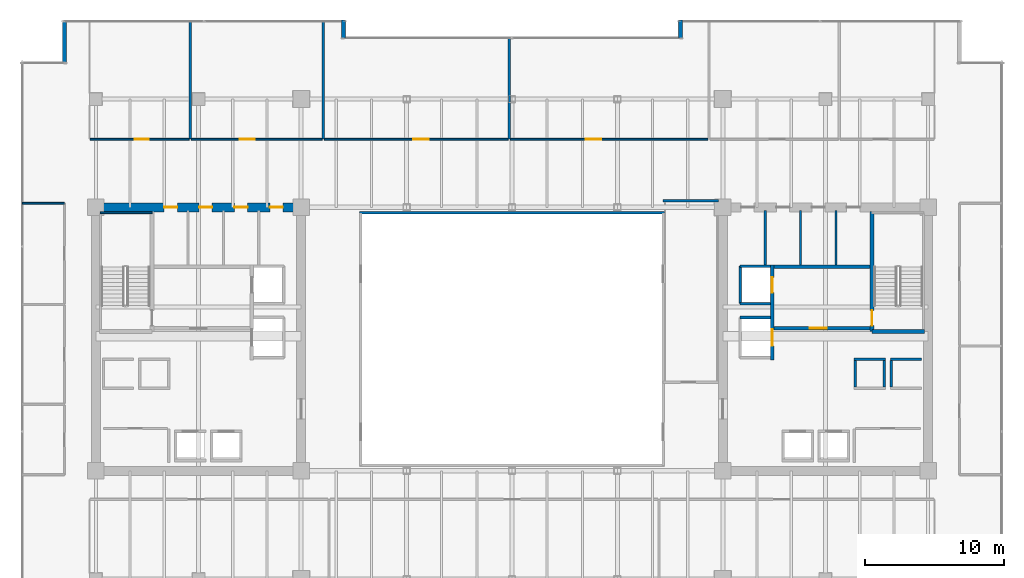
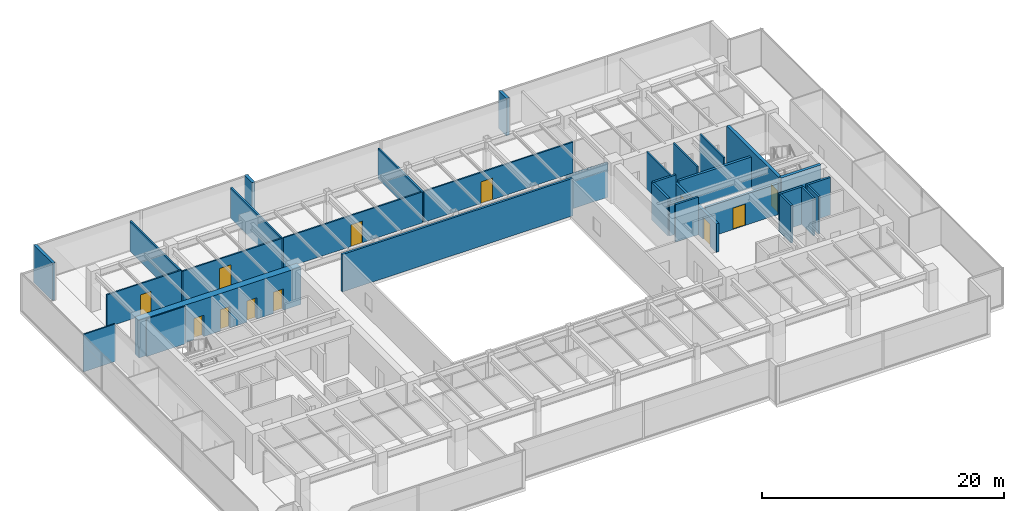
# One storey, part 27 of 33: 32 walls, 12 doors, 12 openings.
"""IFC4 building model written with IfcOpenShell, lengths in metres."""

from ifc_helpers import new_model, si_unit, direction, frame, frame_2d, origin, place, context, subcontext, project, spatial, rectangle, extrude, source, transform, mapped, material, layer, layer_set, type_object, type_shapes, element, fill, save


model = new_model("IFC4")

# Units and contexts
model_context = context("Model", 3, precision=1e-05, world=origin(), true_north=direction((0.0, 1.0)))
body_context = subcontext(model_context, "Body", "Model", "MODEL_VIEW")
ifc_project = project(units=[si_unit("LENGTHUNIT", "METRE"), si_unit("AREAUNIT", "SQUARE_METRE"), si_unit("VOLUMEUNIT", "CUBIC_METRE"), si_unit("PLANEANGLEUNIT", "RADIAN"), si_unit("MASSUNIT", "GRAM", prefix="KILO")], contexts=[model_context])

# Site, building, storey
site_placement = place(None, origin())
site = spatial("IfcSite", under=ifc_project, at=site_placement, CompositionType="ELEMENT")
building_placement = place(site_placement, origin())
building = spatial("IfcBuilding", under=site, at=building_placement, Name="Haelvirn Gate Laboratories", CompositionType="ELEMENT")
storey_placement = place(building_placement, frame((0.0, 0.0, 137.89990234375)))
storey = spatial("IfcBuildingStorey", under=building, at=storey_placement, Name="L33", CompositionType="ELEMENT", Elevation=137.89990234375)

# Walls
ifc_material_1 = material(Name="Thermally-broken bronze aluminium rainscreen & mineral wool", Category="aluminium")
ifc_layer_1 = layer(ifc_material_1, 0.280029296875, Name="EW-TERR-280")
ifc_layer_set_1 = layer_set([ifc_layer_1], Name="Thermally-broken bronze aluminium rainscreen & mineral wool")
wall_type_1 = type_object("IfcWallType", Name="EW-TERR-280", PredefinedType="STANDARD", material=ifc_layer_set_1)
for number, where, z_axis, x_axis, name in (
    (1, (49.5400390625, 47.300048828125, 0.0), (0.0, 0.0, 1.0), (0.0, -1.0, 0.0), "L33 Atrium Recess Bronze Return Wall 11"),
    (2, (25.260009765625, 46.011962890625, 0.0), (0.0, 0.0, 1.0), (0.0, 1.0, 0.0), "L33 Atrium Recess Bronze Return Wall 13"),
):
    element("IfcWall", number, at=place(storey_placement, frame(where, z_axis=z_axis, x_axis=x_axis)), inside=storey, type_object=wall_type_1, Name=name, PredefinedType="STANDARD", context=body_context, shape_type="SweptSolid", body=[
        extrude(rectangle(XDim=1.2880859375, YDim=0.280029296875, at=frame_2d((0.64404296875, 0.0))), origin(), (0.0, 0.0, 1.0), 3.7900390625),
    ])
wall_1_placement = place(storey_placement, frame((5.139892578125, 47.300048828125, 0.0), z_axis=(0.0, 0.0, 1.0), x_axis=(0.0, -1.0, 0.0)))
element("IfcWall", 3, at=wall_1_placement, inside=storey, type_object=wall_type_1, Name="L33 Atrium Recess Bronze Return Wall 15", PredefinedType="STANDARD", context=body_context, shape_type="SweptSolid", body=[
    extrude(rectangle(XDim=3.088134765625, YDim=0.280029296875, at=frame_2d((1.5439453125, 0.0))), origin(), (0.0, 0.0, 1.0), 3.7900390625),
])
ifc_material_2 = material(Name="Double-layer acoustic gypsum laboratory partition", Category="gypsum")
ifc_layer_2 = layer(ifc_material_2, 0.159912109375, Name="IW-ACOUST-160")
ifc_layer_set_2 = layer_set([ifc_layer_2], Name="Double-layer acoustic gypsum laboratory partition")
wall_type_2 = type_object("IfcWallType", Name="IW-ACOUST-160", PredefinedType="PARTITIONING", material=ifc_layer_set_2)
for number, where, z_axis, x_axis, name in (
    (4, (14.199951171875, 38.705078125, 0.0), (0.0, 0.0, 1.0), (0.0, 1.0, 0.0), "L33 Interior Wall IW-L33-NDIV-01"),
    (5, (23.800048828125, 38.705078125, 0.0), (0.0, 0.0, 1.0), (0.0, 1.0, 0.0), "L33 Interior Wall IW-L33-NDIV-02"),
):
    element("IfcWall", number, at=place(storey_placement, frame(where, z_axis=z_axis, x_axis=x_axis)), inside=storey, type_object=wall_type_2, Name=name, PredefinedType="PARTITIONING", context=body_context, shape_type="SweptSolid", body=[
        extrude(rectangle(XDim=8.48486328125, YDim=0.159912109375, at=frame_2d((4.242431640625, 0.0))), origin(), (0.0, 0.0, 1.0), 3.0751953125),
    ])
wall_2_placement = place(storey_placement, frame((37.199951171875, 38.705078125, 0.0), z_axis=(0.0, 0.0, 1.0), x_axis=(0.0, 1.0, 0.0)))
element("IfcWall", 6, at=wall_2_placement, inside=storey, type_object=wall_type_2, Name="L33 Interior Wall IW-L33-NDIV-03", PredefinedType="PARTITIONING", context=body_context, shape_type="SweptSolid", body=[
    extrude(rectangle(XDim=7.284912109375, YDim=0.159912109375, at=frame_2d((3.642578125, 0.0))), origin(), (0.0, 0.0, 1.0), 3.0751953125),
])
ifc_material_3 = material(Name="Fire-rated acoustic gypsum board partition", Category="gypsum")
ifc_layer_3 = layer(ifc_material_3, 0.175048828125, Name="IW-ACOUST-180")
ifc_layer_set_3 = layer_set([ifc_layer_3], Name="Fire-rated acoustic gypsum board partition")
wall_type_3 = type_object("IfcWallType", Name="IW-ACOUST-180", PredefinedType="PARTITIONING", material=ifc_layer_set_3)
wall_3_placement = place(storey_placement, frame((48.300048828125, 34.260009765625, 0.0), z_axis=(0.0, 0.0, 1.0), x_axis=(1.0, 0.0, 0.0)))
element("IfcWall", 7, at=wall_3_placement, inside=storey, type_object=wall_type_3, Name="L33 Interior Wall IW-L33-ASEM-N", PredefinedType="PARTITIONING", context=body_context, shape_type="SweptSolid", body=[
    extrude(rectangle(XDim=3.974853515625, YDim=0.175048828125, at=frame_2d((1.9873046875, 0.0))), origin(), (0.0, 0.0, 1.0), 3.47509765625),
])
ifc_material_4 = material(Name="Tempered fire-rated borosilicate glass & anodised aluminium", Category="aluminium")
ifc_layer_4 = layer(ifc_material_4, 0.195068359375, Name="IW-GLAZ-200")
ifc_layer_set_4 = layer_set([ifc_layer_4], Name="Tempered fire-rated borosilicate glass & anodised aluminium")
wall_type_4 = type_object("IfcWallType", Name="IW-GLAZ-200", PredefinedType="SOLIDWALL", material=ifc_layer_set_4)
wall_4_placement = place(storey_placement, frame((26.39990234375, 33.39990234375, 0.0), z_axis=(0.0, 0.0, 1.0), x_axis=(1.0, 0.0, 0.0)))
element("IfcWall", 8, at=wall_4_placement, inside=storey, type_object=wall_type_4, Name="L33 Interior Wall IW-L33-ATRIUM-N", PredefinedType="SOLIDWALL", context=body_context, shape_type="SweptSolid", body=[
    extrude(rectangle(XDim=22.0, YDim=0.195068359375, at=frame_2d((11.0, 0.0))), origin(), (0.0, 0.0, 1.0), 3.7900390625),
])
ifc_material_5 = material(Name="Lightweight acoustic gypsum board partition", Category="gypsum")
ifc_layer_5 = layer(ifc_material_5, 0.1201171875, Name="IW-PART-120")
ifc_layer_set_5 = layer_set([ifc_layer_5], Name="Lightweight acoustic gypsum board partition")
wall_type_5 = type_object("IfcWallType", Name="IW-PART-120", PredefinedType="PARTITIONING", material=ifc_layer_set_5)
wall_5_placement = place(storey_placement, frame((2.110107421875, 34.0849609375, 0.0), z_axis=(0.0, 0.0, 1.0), x_axis=(1.0, 0.0, 0.0)))
element("IfcWall", 9, at=wall_5_placement, inside=storey, type_object=wall_type_5, Name="L33 Interior Wall IW-L33-WCAP-N", PredefinedType="PARTITIONING", context=body_context, shape_type="SweptSolid", body=[
    extrude(rectangle(XDim=3.019775390625, YDim=0.1201171875, at=frame_2d((1.509765625, 0.0))), origin(), (0.0, 0.0, 1.0), 3.7900390625),
])

# Wall, opening, door
ifc_material_6 = material(Name="Acoustic mineral-wool gypsum board partition", Category="gypsum")
ifc_layer_6 = layer(ifc_material_6, 0.139892578125, Name="IW-PART-140")
ifc_layer_set_6 = layer_set([ifc_layer_6], Name="Acoustic mineral-wool gypsum board partition")
wall_type_6 = type_object("IfcWallType", Name="IW-PART-140", PredefinedType="PARTITIONING", material=ifc_layer_set_6)
wall_6_placement = place(storey_placement, frame((6.97998046875, 38.705078125, 0.0), z_axis=(0.0, 0.0, 1.0), x_axis=(1.0, 0.0, 0.0)))
wall_6 = element("IfcWall", 10, at=wall_6_placement, inside=storey, type_object=wall_type_6, Name="L33 Interior Wall IW-L33-NCORR-01", PredefinedType="PARTITIONING", context=body_context, shape_type="SweptSolid", body=[
    extrude(rectangle(XDim=7.14013671875, YDim=0.139892578125, at=frame_2d((3.570068359375, 0.0))), origin(), (0.0, 0.0, 1.0), 3.275146484375),
])
opening_1_placement = place(wall_6_placement, frame((3.233154296875, 0.0, 0.0)))
opening_1 = element("IfcOpeningElement", 11, at=opening_1_placement, cuts=wall_6, Name="Opening D2", PredefinedType="OPENING", context=body_context, shape_type="SweptSolid", body=[
    extrude(rectangle(XDim=1.0, YDim=2.14990234375, at=frame_2d((0.5, 1.074951171875))), frame((0.0, 0.080078125, 0.0), z_axis=(0.0, -1.0, 0.0), x_axis=(1.0, 0.0, 0.0)), (0.0, 0.0, 1.0), 0.159912109375),
])
ifc_material_7 = material(Name="Acoustic solid-core timber suite door", Category="wood")
door_type_1 = type_object("IfcDoorType", Name="DR-INT-1000", OperationType="NOTDEFINED", PredefinedType="DOOR", material=ifc_material_7)
shared_shape_1 = source(origin(), body_context, "Body", "SweptSolid", [
    extrude(rectangle(XDim=1.0, YDim=2.14990234375, at=frame_2d((0.5, 1.074951171875))), frame((0.0, 0.02490234375, 0.0), z_axis=(0.0, -1.0, 0.0), x_axis=(1.0, 0.0, 0.0)), (0.0, 0.0, 1.0), 0.050048828125),
])
type_shapes(door_type_1, [shared_shape_1])
door_1_placement = place(opening_1_placement, origin())
door_1 = element("IfcDoor", 12, at=door_1_placement, inside=storey, type_object=door_type_1, Name="L33 Peer-Review Seminar Room Door N1", OperationType="SINGLE_SWING_LEFT", OverallHeight=2.14990234375, OverallWidth=1.0, PredefinedType="DOOR", context=body_context, shape_type="MappedRepresentation", body=[
    mapped(shared_shape_1, transform((0.0, 0.0, 0.0), scale=1.0)),
])
fill(opening_1, door_1)

wall_7_placement = place(storey_placement, frame((14.280029296875, 38.705078125, 0.0), z_axis=(0.0, 0.0, 1.0), x_axis=(1.0, 0.0, 0.0)))
wall_7 = element("IfcWall", 13, at=wall_7_placement, inside=storey, type_object=wall_type_6, Name="L33 Interior Wall IW-L33-NCORR-02", PredefinedType="PARTITIONING", context=body_context, shape_type="SweptSolid", body=[
    extrude(rectangle(XDim=9.43994140625, YDim=0.139892578125, at=frame_2d((4.719970703125, 0.0))), origin(), (0.0, 0.0, 1.0), 3.125),
])
opening_2_placement = place(wall_7_placement, frame((3.482421875, 0.0, 0.0)))
opening_2 = element("IfcOpeningElement", 14, at=opening_2_placement, cuts=wall_7, Name="Opening D1", PredefinedType="OPENING", context=body_context, shape_type="SweptSolid", body=[
    extrude(rectangle(XDim=1.10009765625, YDim=2.179931640625, at=frame_2d((0.550048828125, 1.08984375))), frame((0.0, 0.080078125, 0.0), z_axis=(0.0, -1.0, 0.0), x_axis=(1.0, 0.0, 0.0)), (0.0, 0.0, 1.0), 0.159912109375),
])
ifc_material_8 = material(Name="Vision-panel acoustic solid-core timber lab door", Category="wood")
door_type_2 = type_object("IfcDoorType", Name="DR-LAB-1100", OperationType="NOTDEFINED", PredefinedType="DOOR", material=ifc_material_8)
shared_shape_2 = source(origin(), body_context, "Body", "SweptSolid", [
    extrude(rectangle(XDim=1.10009765625, YDim=2.179931640625, at=frame_2d((0.550048828125, 1.08984375))), frame((0.0, 0.02490234375, 0.0), z_axis=(0.0, -1.0, 0.0), x_axis=(1.0, 0.0, 0.0)), (0.0, 0.0, 1.0), 0.050048828125),
])
type_shapes(door_type_2, [shared_shape_2])
door_2_placement = place(opening_2_placement, origin())
door_2 = element("IfcDoor", 15, at=door_2_placement, inside=storey, type_object=door_type_2, Name="L33 Cleanroom Metrology Suite Door N2", OperationType="SINGLE_SWING_RIGHT", OverallHeight=2.179931640625, OverallWidth=1.10009765625, PredefinedType="DOOR", context=body_context, shape_type="MappedRepresentation", body=[
    mapped(shared_shape_2, transform((0.0, 0.0, 0.0), scale=1.0)),
])
fill(opening_2, door_2)

wall_8_placement = place(storey_placement, frame((23.8798828125, 38.705078125, 0.0), z_axis=(0.0, 0.0, 1.0), x_axis=(1.0, 0.0, 0.0)))
wall_8 = element("IfcWall", 16, at=wall_8_placement, inside=storey, type_object=wall_type_6, Name="L33 Interior Wall IW-L33-NCORR-03", PredefinedType="PARTITIONING", context=body_context, shape_type="SweptSolid", body=[
    extrude(rectangle(XDim=13.240234375, YDim=0.139892578125, at=frame_2d((6.6201171875, 0.0))), origin(), (0.0, 0.0, 1.0), 3.125),
])
opening_3_placement = place(wall_8_placement, frame((6.4130859375, 0.0, 0.0)))
opening_3 = element("IfcOpeningElement", 17, at=opening_3_placement, cuts=wall_8, Name="Opening D1", PredefinedType="OPENING", context=body_context, shape_type="SweptSolid", body=[
    extrude(rectangle(XDim=1.10009765625, YDim=2.179931640625, at=frame_2d((0.550048828125, 1.08984375))), frame((0.0, 0.080078125, 0.0), z_axis=(0.0, -1.0, 0.0), x_axis=(1.0, 0.0, 0.0)), (0.0, 0.0, 1.0), 0.159912109375),
])
door_3_placement = place(opening_3_placement, origin())
door_3 = element("IfcDoor", 18, at=door_3_placement, inside=storey, type_object=door_type_2, Name="L33 Cryo-EM Imaging Suite Door N3", OperationType="SINGLE_SWING_LEFT", OverallHeight=2.179931640625, OverallWidth=1.10009765625, PredefinedType="DOOR", context=body_context, shape_type="MappedRepresentation", body=[
    mapped(shared_shape_2, transform((0.0, 0.0, 0.0), scale=1.0)),
])
fill(opening_3, door_3)

wall_9_placement = place(storey_placement, frame((37.280029296875, 38.705078125, 0.0), z_axis=(0.0, 0.0, 1.0), x_axis=(1.0, 0.0, 0.0)))
wall_9 = element("IfcWall", 19, at=wall_9_placement, inside=storey, type_object=wall_type_6, Name="L33 Interior Wall IW-L33-NCORR-04", PredefinedType="PARTITIONING", context=body_context, shape_type="SweptSolid", body=[
    extrude(rectangle(XDim=14.239990234375, YDim=0.139892578125, at=frame_2d((7.1201171875, 0.0))), origin(), (0.0, 0.0, 1.0), 3.125),
])
opening_4_placement = place(wall_9_placement, frame((5.450439453125, 0.0, 0.0)))
opening_4 = element("IfcOpeningElement", 20, at=opening_4_placement, cuts=wall_9, Name="Opening D1", PredefinedType="OPENING", context=body_context, shape_type="SweptSolid", body=[
    extrude(rectangle(XDim=1.10009765625, YDim=2.179931640625, at=frame_2d((0.550048828125, 1.08984375))), frame((0.0, 0.080078125, 0.0), z_axis=(0.0, -1.0, 0.0), x_axis=(1.0, 0.0, 0.0)), (0.0, 0.0, 1.0), 0.159912109375),
])
door_4_placement = place(opening_4_placement, origin())
door_4 = element("IfcDoor", 21, at=door_4_placement, inside=storey, type_object=door_type_2, Name="L33 Researcher Break Pantry Door N4", OperationType="SINGLE_SWING_RIGHT", OverallHeight=2.179931640625, OverallWidth=1.10009765625, PredefinedType="DOOR", context=body_context, shape_type="MappedRepresentation", body=[
    mapped(shared_shape_2, transform((0.0, 0.0, 0.0), scale=1.0)),
])
fill(opening_4, door_4)

# Walls
ifc_material_9 = material(Name="Cement-board restroom plumbing chase wall", Category="gypsum")
ifc_layer_7 = layer(ifc_material_9, 0.155029296875, Name="IW-PLUMB-160")
ifc_layer_set_7 = layer_set([ifc_layer_7], Name="Cement-board restroom plumbing chase wall")
wall_type_7 = type_object("IfcWallType", Name="IW-PLUMB-160", PredefinedType="PLUMBINGWALL", material=ifc_layer_set_7)
for number, where, z_axis, x_axis, name in (
    (22, (60.760009765625, 29.64990234375, 0.0), (0.0, 0.0, 1.0), (0.0, 1.0, 0.0), "L33 Interior Wall IW-L33-E-CDIV-1"),
    (23, (58.2099609375, 29.64990234375, 0.0), (0.0, 0.0, 1.0), (0.0, 1.0, 0.0), "L33 Interior Wall IW-L33-E-CDIV-2"),
    (24, (55.659912109375, 29.64990234375, 0.0), (0.0, 0.0, 1.0), (0.0, 1.0, 0.0), "L33 Interior Wall IW-L33-E-CDIV-3"),
):
    element("IfcWall", number, at=place(storey_placement, frame(where, z_axis=z_axis, x_axis=x_axis)), inside=storey, type_object=wall_type_7, Name=name, PredefinedType="PLUMBINGWALL", context=body_context, shape_type="SweptSolid", body=[
        extrude(rectangle(XDim=3.93017578125, YDim=0.155029296875, at=frame_2d((1.965087890625, 0.0))), origin(), (0.0, 0.0, 1.0), 3.7900390625),
    ])
ifc_material_10 = material(Name="Concrete C40/50", Category="concrete")
ifc_layer_8 = layer(ifc_material_10, 0.179931640625, Name="IW-SHAFT-180")
ifc_layer_set_8 = layer_set([ifc_layer_8], Name="Concrete C40/50")
wall_type_8 = type_object("IfcWallType", Name="IW-SHAFT-180", PredefinedType="SOLIDWALL", material=ifc_layer_set_8)
for number, where, z_axis, x_axis, name in (
    (25, (64.75, 20.85009765625, 0.0), (0.0, 0.0, 1.0), (0.0, 1.0, 0.0), "L33 Interior Wall IW-L33-PL11-SD"),
    (26, (62.14990234375, 20.85009765625, 0.0), (0.0, 0.0, 1.0), (0.0, 1.0, 0.0), "L33 Interior Wall IW-L33-PL12-SD"),
    (27, (64.25, 20.85009765625, 0.0), (0.0, 0.0, 1.0), (0.0, 1.0, 0.0), "L33 Interior Wall IW-L33-PL12-SDE"),
):
    element("IfcWall", number, at=place(storey_placement, frame(where, z_axis=z_axis, x_axis=x_axis)), inside=storey, type_object=wall_type_8, Name=name, PredefinedType="SOLIDWALL", context=body_context, shape_type="SweptSolid", body=[
        extrude(rectangle(XDim=1.89990234375, YDim=0.179931640625, at=frame_2d((0.949951171875, 0.0))), origin(), (0.0, 0.0, 1.0), 3.7900390625),
    ])
ifc_layer_9 = layer(ifc_material_10, 0.199951171875, Name="IW-SHAFT-200")
ifc_layer_set_9 = layer_set([ifc_layer_9], Name="Concrete C40/50")
wall_type_9 = type_object("IfcWallType", Name="IW-SHAFT-200", PredefinedType="SOLIDWALL", material=ifc_layer_set_9)
for number, where, z_axis, x_axis, name in (
    (28, (64.669921875, 22.85009765625, 0.0), (0.0, 0.0, 1.0), (1.0, 0.0, 0.0), "L33 Interior Wall IW-L33-PL11-BK"),
    (29, (62.070068359375, 22.85009765625, 0.0), (0.0, 0.0, 1.0), (1.0, 0.0, 0.0), "L33 Interior Wall IW-L33-PL12-BK"),
):
    element("IfcWall", number, at=place(storey_placement, frame(where, z_axis=z_axis, x_axis=x_axis)), inside=storey, type_object=wall_type_9, Name=name, PredefinedType="SOLIDWALL", context=body_context, shape_type="SweptSolid", body=[
        extrude(rectangle(XDim=2.260009765625, YDim=0.199951171875, at=frame_2d((1.1298828125, 0.0))), origin(), (0.0, 0.0, 1.0), 3.7900390625),
    ])
wall_10_placement = place(storey_placement, frame((53.85009765625, 26.85009765625, 0.0), z_axis=(0.0, 0.0, 1.0), x_axis=(0.0, 1.0, 0.0)))
element("IfcWall", 30, at=wall_10_placement, inside=storey, type_object=wall_type_9, Name="L33 Interior Wall IW-L33-FL2-BK", PredefinedType="SOLIDWALL", context=body_context, shape_type="SweptSolid", body=[
    extrude(rectangle(XDim=2.699951171875, YDim=0.199951171875, at=frame_2d((1.35009765625, 0.0))), origin(), (0.0, 0.0, 1.0), 3.7900390625),
])
wall_11_placement = place(storey_placement, frame((53.85009765625, 29.550048828125, 0.0), z_axis=(0.0, 0.0, 1.0), x_axis=(1.0, 0.0, 0.0)))
element("IfcWall", 31, at=wall_11_placement, inside=storey, type_object=wall_type_9, Name="L33 Interior Wall IW-L33-FL2-N", PredefinedType="SOLIDWALL", context=body_context, shape_type="SweptSolid", body=[
    extrude(rectangle(XDim=2.18994140625, YDim=0.199951171875, at=frame_2d((1.094970703125, 0.0))), origin(), (0.0, 0.0, 1.0), 3.7900390625),
])
wall_12_placement = place(storey_placement, frame((53.85009765625, 26.85009765625, 0.0), z_axis=(0.0, 0.0, 1.0), x_axis=(1.0, 0.0, 0.0)))
element("IfcWall", 32, at=wall_12_placement, inside=storey, type_object=wall_type_9, Name="L33 Interior Wall IW-L33-FL2-S", PredefinedType="SOLIDWALL", context=body_context, shape_type="SweptSolid", body=[
    extrude(rectangle(XDim=2.18994140625, YDim=0.199951171875, at=frame_2d((1.094970703125, 0.0))), origin(), (0.0, 0.0, 1.0), 3.18701171875),
])
wall_13_placement = place(storey_placement, frame((53.85009765625, 25.85009765625, 0.0), z_axis=(0.0, 0.0, 1.0), x_axis=(1.0, 0.0, 0.0)))
element("IfcWall", 33, at=wall_13_placement, inside=storey, type_object=wall_type_9, Name="L33 Interior Wall IW-L33-SL2-N", PredefinedType="SOLIDWALL", context=body_context, shape_type="SweptSolid", body=[
    extrude(rectangle(XDim=2.18994140625, YDim=0.199951171875, at=frame_2d((1.094970703125, 0.0))), origin(), (0.0, 0.0, 1.0), 3.7900390625),
])

# Wall, opening, door
ifc_layer_10 = layer(ifc_material_10, 0.239990234375, Name="IW-SHAFT-240")
ifc_layer_set_10 = layer_set([ifc_layer_10], Name="Concrete C40/50")
wall_type_10 = type_object("IfcWallType", Name="IW-SHAFT-240", PredefinedType="SOLIDWALL", material=ifc_layer_set_10)
wall_14_placement = place(storey_placement, frame((56.280029296875, 25.080078125, 0.0), z_axis=(0.0, 0.0, 1.0), x_axis=(1.0, 0.0, 0.0)))
wall_14 = element("IfcWall", 34, at=wall_14_placement, inside=storey, type_object=wall_type_10, Name="L33 Interior Wall IW-L33-E-FF-S", PredefinedType="SOLIDWALL", context=body_context, shape_type="SweptSolid", body=[
    extrude(rectangle(XDim=6.919921875, YDim=0.239990234375, at=frame_2d((3.4599609375, 0.0))), origin(), (0.0, 0.0, 1.0), 3.125),
])
opening_5_placement = place(wall_14_placement, frame((2.60009765625, 0.0, 0.0)))
opening_5 = element("IfcOpeningElement", 35, at=opening_5_placement, cuts=wall_14, Name="Opening FD2", PredefinedType="OPENING", context=body_context, shape_type="SweptSolid", body=[
    extrude(rectangle(XDim=1.199951171875, YDim=2.159912109375, at=frame_2d((0.60009765625, 1.080078125))), frame((0.0, 0.1298828125, 0.0), z_axis=(0.0, -1.0, 0.0), x_axis=(1.0, 0.0, 0.0)), (0.0, 0.0, 1.0), 0.260009765625),
])
ifc_material_11 = material(Name="Fire-rated steel SM355 compartment door", Category="steel")
door_type_3 = type_object("IfcDoorType", Name="DR-FD-1200", OperationType="NOTDEFINED", PredefinedType="DOOR", material=ifc_material_11)
shared_shape_3 = source(origin(), body_context, "Body", "SweptSolid", [
    extrude(rectangle(XDim=1.199951171875, YDim=2.159912109375, at=frame_2d((0.60009765625, 1.080078125))), frame((0.0, 0.02490234375, 0.0), z_axis=(0.0, -1.0, 0.0), x_axis=(1.0, 0.0, 0.0)), (0.0, 0.0, 1.0), 0.050048828125),
])
type_shapes(door_type_3, [shared_shape_3])
door_5_placement = place(opening_5_placement, origin())
door_5 = element("IfcDoor", 36, at=door_5_placement, inside=storey, type_object=door_type_3, Name="L33 East Firefighting Lobby Door", OperationType="SINGLE_SWING_LEFT", OverallHeight=2.159912109375, OverallWidth=1.199951171875, PredefinedType="DOOR", context=body_context, shape_type="MappedRepresentation", body=[
    mapped(shared_shape_3, transform((0.0, 0.0, 0.0), scale=1.0)),
])
fill(opening_5, door_5)

# Wall
wall_15_placement = place(storey_placement, frame((56.280029296875, 29.52001953125, 0.0), z_axis=(0.0, 0.0, 1.0), x_axis=(1.0, 0.0, 0.0)))
element("IfcWall", 37, at=wall_15_placement, inside=storey, type_object=wall_type_10, Name="L33 Interior Wall IW-L33-E-FF-N", PredefinedType="SOLIDWALL", context=body_context, shape_type="SweptSolid", body=[
    extrude(rectangle(XDim=6.919921875, YDim=0.239990234375, at=frame_2d((3.4599609375, 0.0))), origin(), (0.0, 0.0, 1.0), 3.125),
])

# Wall, openings, doors
wall_16_placement = place(storey_placement, frame((56.159912109375, 22.800048828125, 0.0), z_axis=(0.0, 0.0, 1.0), x_axis=(0.0, 1.0, 0.0)))
wall_16 = element("IfcWall", 38, at=wall_16_placement, inside=storey, type_object=wall_type_10, Name="L33 Interior Wall IW-L33-E-FF-E", PredefinedType="SOLIDWALL", context=body_context, shape_type="SweptSolid", body=[
    extrude(rectangle(XDim=6.849853515625, YDim=0.239990234375, at=frame_2d((3.4248046875, 0.0))), origin(), (0.0, 0.0, 1.0), 2.875),
])
opening_6_placement = place(wall_16_placement, frame((4.85009765625, 0.0, 0.0)))
opening_6 = element("IfcOpeningElement", 39, at=opening_6_placement, cuts=wall_16, Name="Opening LD2", PredefinedType="OPENING", context=body_context, shape_type="SweptSolid", body=[
    extrude(rectangle(XDim=1.10009765625, YDim=2.219970703125, at=frame_2d((0.550048828125, 1.10986328125))), frame((0.0, 0.1298828125, 0.0), z_axis=(0.0, -1.0, 0.0), x_axis=(1.0, 0.0, 0.0)), (0.0, 0.0, 1.0), 0.260009765625),
])
opening_7_placement = place(wall_16_placement, frame((1.0, 0.0, 0.0)))
opening_7 = element("IfcOpeningElement", 40, at=opening_7_placement, cuts=wall_16, Name="Opening LD1", PredefinedType="OPENING", context=body_context, shape_type="SweptSolid", body=[
    extrude(rectangle(XDim=1.199951171875, YDim=2.219970703125, at=frame_2d((0.60009765625, 1.10986328125))), frame((0.0, 0.1298828125, 0.0), z_axis=(0.0, -1.0, 0.0), x_axis=(1.0, 0.0, 0.0)), (0.0, 0.0, 1.0), 0.260009765625),
])
ifc_material_12 = material(Name="Bronze stainless 316L sliding lift landing door")
door_type_4 = type_object("IfcDoorType", Name="DR-LD-1100", OperationType="NOTDEFINED", PredefinedType="USERDEFINED", material=ifc_material_12)
shared_shape_4 = source(origin(), body_context, "Body", "SweptSolid", [
    extrude(rectangle(XDim=1.10009765625, YDim=2.219970703125, at=frame_2d((0.550048828125, 1.10986328125))), frame((0.0, 0.02490234375, 0.0), z_axis=(0.0, -1.0, 0.0), x_axis=(1.0, 0.0, 0.0)), (0.0, 0.0, 1.0), 0.050048828125),
])
type_shapes(door_type_4, [shared_shape_4])
door_6_placement = place(opening_6_placement, origin())
door_6 = element("IfcDoor", 41, at=door_6_placement, inside=storey, type_object=door_type_4, Name="L33 Firefighting Lift FL2 Landing Door", ObjectType="LANDING_DOOR", OperationType="SLIDING_TO_RIGHT", OverallHeight=2.219970703125, OverallWidth=1.10009765625, PredefinedType="USERDEFINED", context=body_context, shape_type="MappedRepresentation", body=[
    mapped(shared_shape_4, transform((0.0, 0.0, 0.0), scale=1.0)),
])
fill(opening_6, door_6)
ifc_material_13 = material(Name="Stainless steel 316L sliding goods landing door", Category="steel")
door_type_5 = type_object("IfcDoorType", Name="DR-LD-1200", OperationType="NOTDEFINED", PredefinedType="USERDEFINED", material=ifc_material_13)
shared_shape_5 = source(origin(), body_context, "Body", "SweptSolid", [
    extrude(rectangle(XDim=1.199951171875, YDim=2.219970703125, at=frame_2d((0.60009765625, 1.10986328125))), frame((0.0, 0.02490234375, 0.0), z_axis=(0.0, -1.0, 0.0), x_axis=(1.0, 0.0, 0.0)), (0.0, 0.0, 1.0), 0.050048828125),
])
type_shapes(door_type_5, [shared_shape_5])
door_7_placement = place(opening_7_placement, origin())
door_7 = element("IfcDoor", 42, at=door_7_placement, inside=storey, type_object=door_type_5, Name="L33 Service Lift SL2 Landing Door", ObjectType="LANDING_DOOR", OperationType="SLIDING_TO_LEFT", OverallHeight=2.219970703125, OverallWidth=1.199951171875, PredefinedType="USERDEFINED", context=body_context, shape_type="MappedRepresentation", body=[
    mapped(shared_shape_5, transform((0.0, 0.0, 0.0), scale=1.0)),
])
fill(opening_7, door_7)

ifc_material_14 = material(Name="Concrete C60/75", Category="concrete")
ifc_layer_11 = layer(ifc_material_14, 0.64990234375, Name="SW-CORE-650")
ifc_layer_set_11 = layer_set([ifc_layer_11], Name="Concrete C60/75")
wall_type_11 = type_object("IfcWallType", Name="SW-CORE-650", PredefinedType="SHEAR", material=ifc_layer_set_11)
wall_17_placement = place(storey_placement, frame((7.074951171875, 33.800048828125, 0.0), z_axis=(0.0, 0.0, 1.0), x_axis=(1.0, 0.0, 0.0)))
wall_17 = element("IfcWall", 43, at=wall_17_placement, inside=storey, type_object=wall_type_11, Name="L33 W Core Shear Wall N", PredefinedType="SHEAR", context=body_context, shape_type="SweptSolid", body=[
    extrude(rectangle(XDim=15.449951171875, YDim=0.64990234375, at=frame_2d((7.72509765625, 0.0))), origin(), (0.0, 0.0, 1.0), 3.7900390625),
])
opening_8_placement = place(wall_17_placement, frame((5.25, 0.0, 0.0)))
opening_8 = element("IfcOpeningElement", 44, at=opening_8_placement, cuts=wall_17, Name="Opening FD4", PredefinedType="OPENING", context=body_context, shape_type="SweptSolid", body=[
    extrude(rectangle(XDim=0.949951171875, YDim=2.14990234375, at=frame_2d((0.47509765625, 1.074951171875))), frame((0.0, 0.3349609375, 0.0), z_axis=(0.0, -1.0, 0.0), x_axis=(1.0, 0.0, 0.0)), (0.0, 0.0, 1.0), 0.669921875),
])
opening_9_placement = place(wall_17_placement, frame((7.764892578125, 0.0, 0.0)))
opening_9 = element("IfcOpeningElement", 45, at=opening_9_placement, cuts=wall_17, Name="Opening FD4", PredefinedType="OPENING", context=body_context, shape_type="SweptSolid", body=[
    extrude(rectangle(XDim=0.949951171875, YDim=2.14990234375, at=frame_2d((0.47509765625, 1.074951171875))), frame((0.0, 0.3349609375, 0.0), z_axis=(0.0, -1.0, 0.0), x_axis=(1.0, 0.0, 0.0)), (0.0, 0.0, 1.0), 0.669921875),
])
opening_10_placement = place(wall_17_placement, frame((10.31494140625, 0.0, 0.0)))
opening_10 = element("IfcOpeningElement", 46, at=opening_10_placement, cuts=wall_17, Name="Opening FD4", PredefinedType="OPENING", context=body_context, shape_type="SweptSolid", body=[
    extrude(rectangle(XDim=0.949951171875, YDim=2.14990234375, at=frame_2d((0.47509765625, 1.074951171875))), frame((0.0, 0.3349609375, 0.0), z_axis=(0.0, -1.0, 0.0), x_axis=(1.0, 0.0, 0.0)), (0.0, 0.0, 1.0), 0.669921875),
])
opening_11_placement = place(wall_17_placement, frame((12.864990234375, 0.0, 0.0)))
opening_11 = element("IfcOpeningElement", 47, at=opening_11_placement, cuts=wall_17, Name="Opening FD4", PredefinedType="OPENING", context=body_context, shape_type="SweptSolid", body=[
    extrude(rectangle(XDim=0.949951171875, YDim=2.14990234375, at=frame_2d((0.47509765625, 1.074951171875))), frame((0.0, 0.3349609375, 0.0), z_axis=(0.0, -1.0, 0.0), x_axis=(1.0, 0.0, 0.0)), (0.0, 0.0, 1.0), 0.669921875),
])
ifc_material_15 = material(Name="Fire-rated steel SM355 core service door", Category="steel")
door_type_6 = type_object("IfcDoorType", Name="DR-FD-950", OperationType="NOTDEFINED", PredefinedType="DOOR", material=ifc_material_15)
shared_shape_6 = source(origin(), body_context, "Body", "SweptSolid", [
    extrude(rectangle(XDim=0.949951171875, YDim=2.14990234375, at=frame_2d((0.47509765625, 1.074951171875))), frame((0.0, 0.02490234375, 0.0), z_axis=(0.0, -1.0, 0.0), x_axis=(1.0, 0.0, 0.0)), (0.0, 0.0, 1.0), 0.050048828125),
])
type_shapes(door_type_6, [shared_shape_6])
door_8_placement = place(opening_8_placement, origin())
door_8 = element("IfcDoor", 48, at=door_8_placement, inside=storey, type_object=door_type_6, Name="L33 Male Restroom Fire Door", OperationType="SINGLE_SWING_RIGHT", OverallHeight=2.14990234375, OverallWidth=0.949951171875, PredefinedType="DOOR", context=body_context, shape_type="MappedRepresentation", body=[
    mapped(shared_shape_6, transform((0.0, 0.0, 0.0), scale=1.0)),
])
fill(opening_8, door_8)
door_9_placement = place(opening_9_placement, origin())
door_9 = element("IfcDoor", 49, at=door_9_placement, inside=storey, type_object=door_type_6, Name="L33 Female Restroom Fire Door", OperationType="SINGLE_SWING_LEFT", OverallHeight=2.14990234375, OverallWidth=0.949951171875, PredefinedType="DOOR", context=body_context, shape_type="MappedRepresentation", body=[
    mapped(shared_shape_6, transform((0.0, 0.0, 0.0), scale=1.0)),
])
fill(opening_9, door_9)
door_10_placement = place(opening_10_placement, origin())
door_10 = element("IfcDoor", 50, at=door_10_placement, inside=storey, type_object=door_type_6, Name="L33 Accessible Restroom Fire Door", OperationType="SINGLE_SWING_RIGHT", OverallHeight=2.14990234375, OverallWidth=0.949951171875, PredefinedType="DOOR", context=body_context, shape_type="MappedRepresentation", body=[
    mapped(shared_shape_6, transform((0.0, 0.0, 0.0), scale=1.0)),
])
fill(opening_10, door_10)
door_11_placement = place(opening_11_placement, origin())
door_11 = element("IfcDoor", 51, at=door_11_placement, inside=storey, type_object=door_type_6, Name="L33 Decontamination Shower Washroom Fire Door", OperationType="SINGLE_SWING_LEFT", OverallHeight=2.14990234375, OverallWidth=0.949951171875, PredefinedType="DOOR", context=body_context, shape_type="MappedRepresentation", body=[
    mapped(shared_shape_6, transform((0.0, 0.0, 0.0), scale=1.0)),
])
fill(opening_11, door_11)

# Wall
ifc_material_16 = material(Name="Concrete C50/60", Category="concrete")
ifc_layer_12 = layer(ifc_material_16, 0.1201171875, Name="SW-LINER-120")
ifc_layer_set_12 = layer_set([ifc_layer_12], Name="Concrete C50/60")
wall_type_12 = type_object("IfcWallType", Name="SW-LINER-120", PredefinedType="SOLIDWALL", material=ifc_layer_set_12)
wall_18_placement = place(storey_placement, frame((7.72998046875, 33.39990234375, 0.0), z_axis=(0.0, 0.0, 1.0), x_axis=(1.0, 0.0, 0.0)))
element("IfcWall", 52, at=wall_18_placement, inside=storey, type_object=wall_type_12, Name="L33 W Core Stair Shaft Liner Wall N", PredefinedType="SOLIDWALL", context=body_context, shape_type="SweptSolid", body=[
    extrude(rectangle(XDim=3.719970703125, YDim=0.1201171875, at=frame_2d((1.85986328125, 0.0))), origin(), (0.0, 0.0, 1.0), 3.7900390625),
])

# Wall, opening, door
ifc_layer_13 = layer(ifc_material_16, 0.300048828125, Name="SW-STAIR-300")
ifc_layer_set_13 = layer_set([ifc_layer_13], Name="Concrete C50/60")
wall_type_13 = type_object("IfcWallType", Name="SW-STAIR-300", PredefinedType="SHEAR", material=ifc_layer_set_13)
wall_19_placement = place(storey_placement, frame((63.35009765625, 24.85009765625, 0.0), z_axis=(0.0, 0.0, 1.0), x_axis=(0.0, 1.0, 0.0)))
wall_19 = element("IfcWall", 53, at=wall_19_placement, inside=storey, type_object=wall_type_13, Name="L33 E Core Stair Shaft Structural Wall IN", PredefinedType="SHEAR", context=body_context, shape_type="SweptSolid", body=[
    extrude(rectangle(XDim=8.6298828125, YDim=0.300048828125, at=frame_2d((4.31494140625, 0.0))), origin(), (0.0, 0.0, 1.0), 3.7900390625),
])
opening_12_placement = place(wall_19_placement, frame((0.419921875, 0.0, 0.0)))
opening_12 = element("IfcOpeningElement", 54, at=opening_12_placement, cuts=wall_19, Name="Opening FD3", PredefinedType="OPENING", context=body_context, shape_type="SweptSolid", body=[
    extrude(rectangle(XDim=1.10009765625, YDim=2.14990234375, at=frame_2d((0.550048828125, 1.074951171875))), frame((0.0, 0.16015625, 0.0), z_axis=(0.0, -1.0, 0.0), x_axis=(1.0, 0.0, 0.0)), (0.0, 0.0, 1.0), 0.320068359375),
])
ifc_material_17 = material(Name="Fire-rated steel SM355 escape stair door", Category="steel")
door_type_7 = type_object("IfcDoorType", Name="DR-FD-1100", OperationType="NOTDEFINED", PredefinedType="DOOR", material=ifc_material_17)
shared_shape_7 = source(origin(), body_context, "Body", "SweptSolid", [
    extrude(rectangle(XDim=1.10009765625, YDim=2.14990234375, at=frame_2d((0.550048828125, 1.074951171875))), frame((0.0, 0.02490234375, 0.0), z_axis=(0.0, -1.0, 0.0), x_axis=(1.0, 0.0, 0.0)), (0.0, 0.0, 1.0), 0.050048828125),
])
type_shapes(door_type_7, [shared_shape_7])
door_12_placement = place(opening_12_placement, origin())
door_12 = element("IfcDoor", 55, at=door_12_placement, inside=storey, type_object=door_type_7, Name="L33 Escape Stair ST2 Fire Door", OperationType="SINGLE_SWING_RIGHT", OverallHeight=2.14990234375, OverallWidth=1.10009765625, PredefinedType="DOOR", context=body_context, shape_type="MappedRepresentation", body=[
    mapped(shared_shape_7, transform((0.0, 0.0, 0.0), scale=1.0)),
])
fill(opening_12, door_12)

# Wall
wall_20_placement = place(storey_placement, frame((63.35009765625, 24.85009765625, 0.0), z_axis=(0.0, 0.0, 1.0), x_axis=(1.0, 0.0, 0.0)))
element("IfcWall", 56, at=wall_20_placement, inside=storey, type_object=wall_type_13, Name="L33 E Core Stair Shaft Structural Wall S", PredefinedType="SHEAR", context=body_context, shape_type="SweptSolid", body=[
    extrude(rectangle(XDim=3.7998046875, YDim=0.300048828125, at=frame_2d((1.89990234375, 0.0))), origin(), (0.0, 0.0, 1.0), 3.7900390625),
])

save(model, "model.ifc")
